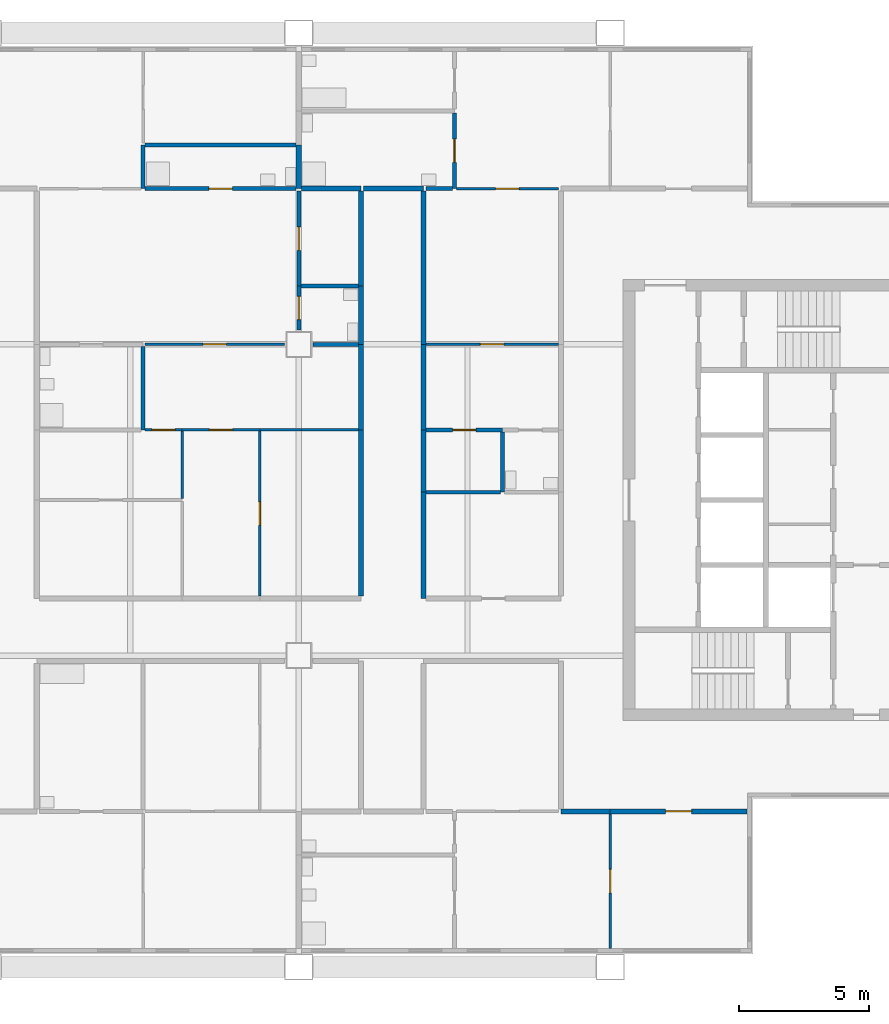
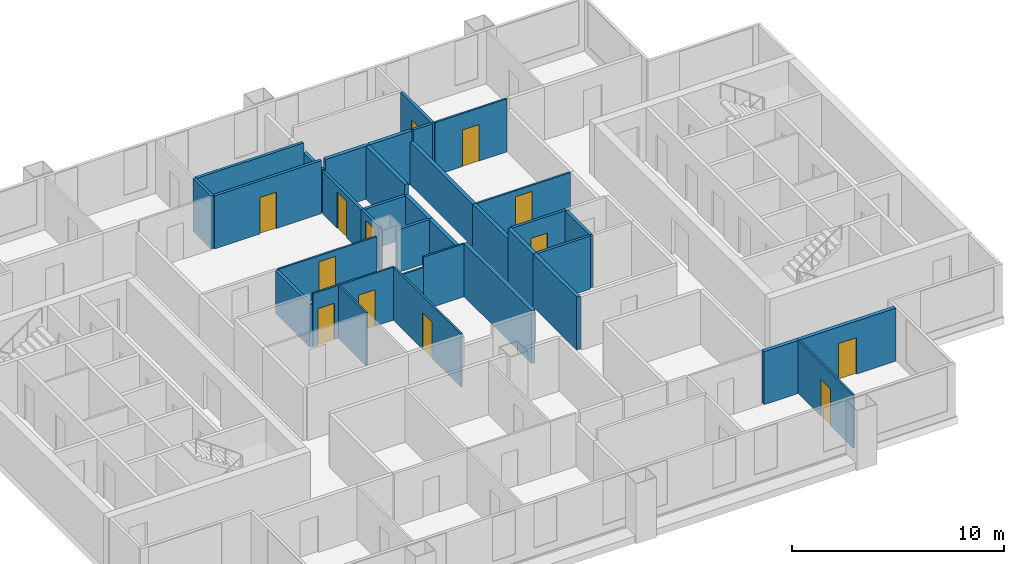
# One storey, part 4 of 9: 36 walls, 13 doors, 13 openings.
"""IFC4 building model written with IfcOpenShell, lengths in metres."""

from ifc_helpers import new_model, si_unit, direction, frame, frame_2d, origin, place, context, subcontext, project, spatial, rectangle, extrude, material, layer, layer_set, type_object, element, fill, save


model = new_model("IFC4")

# Units and contexts
model_context = context("Model", 3, precision=1e-05, world=origin(), true_north=direction((0.0, 1.0)))
body_context = subcontext(model_context, "Body", "Model", "MODEL_VIEW")
ifc_project = project(units=[si_unit("LENGTHUNIT", "METRE"), si_unit("AREAUNIT", "SQUARE_METRE"), si_unit("VOLUMEUNIT", "CUBIC_METRE"), si_unit("PLANEANGLEUNIT", "RADIAN"), si_unit("MASSUNIT", "GRAM", prefix="KILO")], contexts=[model_context])

# Site, building, storey
site_placement = place(None, origin())
site = spatial("IfcSite", under=ifc_project, at=site_placement, CompositionType="ELEMENT")
building_placement = place(site_placement, origin())
building = spatial("IfcBuilding", under=site, at=building_placement, Name="Kitamizu Gate Tower and Museum", CompositionType="ELEMENT")
storey_placement = place(building_placement, frame((0.0, 0.0, 221.39990234375)))
storey = spatial("IfcBuildingStorey", under=building, at=storey_placement, Name="L59", CompositionType="ELEMENT", Elevation=221.39990234375)

# Wall, opening, door
ifc_material_1 = material(Name="Gypsum board on galvanised stud")
ifc_layer_1 = layer(ifc_material_1, 0.10009765625)
ifc_layer_set_1 = layer_set([ifc_layer_1], Name="Gypsum board on galvanised stud")
wall_type_1 = type_object("IfcWallType", Name="Partition 100 NOT RATED", PredefinedType="PARTITIONING", material=ifc_layer_set_1)
wall_1_placement = place(storey_placement, frame((48.0, 12.719970703125, 0.0), z_axis=(0.0, 0.0, 1.0), x_axis=(0.0, 1.0, 0.0)))
wall_1 = element("IfcWall", 1, at=wall_1_placement, inside=storey, type_object=wall_type_1, Name="Partition L59-024", PredefinedType="PARTITIONING", context=body_context, shape_type="SweptSolid", body=[
    extrude(rectangle(XDim=5.179931640625, YDim=0.10009765625, at=frame_2d((2.58984375, 0.0))), origin(), (0.0, 0.0, 1.0), 3.050048828125),
])
opening_1_placement = place(wall_1_placement, frame((2.139892578125, 0.0, 0.0)))
opening_1 = element("IfcOpeningElement", 2, at=opening_1_placement, cuts=wall_1, Name="Opening L59-008", PredefinedType="OPENING", context=body_context, shape_type="SweptSolid", body=[
    extrude(rectangle(XDim=0.89990234375, YDim=2.10009765625, at=frame_2d((0.449951171875, 1.050048828125))), frame((0.0, 0.06005859375, 0.0), z_axis=(0.0, -1.0, 0.0), x_axis=(1.0, 0.0, 0.0)), (0.0, 0.0, 1.0), 0.1201171875),
])
ifc_material_2 = material(Name="Timber door set", Category="wood")
door_type_1 = type_object("IfcDoorType", Name="Room door 900", OperationType="NOTDEFINED", PredefinedType="DOOR", material=ifc_material_2)
door_1_placement = place(opening_1_placement, origin())
door_1 = element("IfcDoor", 3, at=door_1_placement, inside=storey, type_object=door_type_1, Name="Door L59-008", OperationType="SINGLE_SWING_LEFT", OverallHeight=2.10009765625, OverallWidth=0.89990234375, PredefinedType="DOOR", context=body_context, shape_type="SweptSolid", body=[
    extrude(rectangle(XDim=0.89990234375, YDim=2.10009765625, at=frame_2d((0.449951171875, 1.050048828125))), frame((0.0, 0.02490234375, 0.0), z_axis=(0.0, -1.0, 0.0), x_axis=(1.0, 0.0, 0.0)), (0.0, 0.0, 1.0), 0.050048828125),
])
fill(opening_1, door_1)

wall_2_placement = place(storey_placement, frame((30.074951171875, 36.0, 0.0), z_axis=(0.0, 0.0, 1.0), x_axis=(1.0, 0.0, 0.0)))
wall_2 = element("IfcWall", 4, at=wall_2_placement, inside=storey, type_object=wall_type_1, Name="Partition L59-045", PredefinedType="PARTITIONING", context=body_context, shape_type="SweptSolid", body=[
    extrude(rectangle(XDim=5.375, YDim=0.10009765625, at=frame_2d((2.6875, 0.0))), origin(), (0.0, 0.0, 1.0), 2.4501953125),
])
opening_2_placement = place(wall_2_placement, frame((2.237548828125, 0.0, 0.0)))
opening_2 = element("IfcOpeningElement", 5, at=opening_2_placement, cuts=wall_2, Name="Opening L59-020", PredefinedType="OPENING", context=body_context, shape_type="SweptSolid", body=[
    extrude(rectangle(XDim=0.89990234375, YDim=2.10009765625, at=frame_2d((0.449951171875, 1.050048828125))), frame((0.0, 0.06005859375, 0.0), z_axis=(0.0, -1.0, 0.0), x_axis=(1.0, 0.0, 0.0)), (0.0, 0.0, 1.0), 0.1201171875),
])
door_2_placement = place(opening_2_placement, frame((0.89990234375, 0.0, 0.0), x_axis=(-1.0, 0.0, 0.0)))
door_2 = element("IfcDoor", 6, at=door_2_placement, inside=storey, type_object=door_type_1, Name="Door L59-020", OperationType="SINGLE_SWING_RIGHT", OverallHeight=2.10009765625, OverallWidth=0.89990234375, PredefinedType="DOOR", context=body_context, shape_type="SweptSolid", body=[
    extrude(rectangle(XDim=0.89990234375, YDim=2.10009765625, at=frame_2d((0.449951171875, 1.050048828125))), frame((0.0, 0.02490234375, 0.0), z_axis=(0.0, -1.0, 0.0), x_axis=(1.0, 0.0, 0.0)), (0.0, 0.0, 1.0), 0.050048828125),
])
fill(opening_2, door_2)

wall_3_placement = place(storey_placement, frame((30.074951171875, 32.699951171875, 0.0), z_axis=(0.0, 0.0, 1.0), x_axis=(1.0, 0.0, 0.0)))
wall_3 = element("IfcWall", 7, at=wall_3_placement, inside=storey, type_object=wall_type_1, Name="Partition L59-055", PredefinedType="PARTITIONING", context=body_context, shape_type="SweptSolid", body=[
    extrude(rectangle(XDim=1.425048828125, YDim=0.10009765625, at=frame_2d((0.71240234375, 0.0))), origin(), (0.0, 0.0, 1.0), 3.050048828125),
])
opening_3_placement = place(wall_3_placement, frame((0.262451171875, 0.0, 0.0)))
opening_3 = element("IfcOpeningElement", 8, at=opening_3_placement, cuts=wall_3, Name="Opening L59-021", PredefinedType="OPENING", context=body_context, shape_type="SweptSolid", body=[
    extrude(rectangle(XDim=0.89990234375, YDim=2.10009765625, at=frame_2d((0.449951171875, 1.050048828125))), frame((0.0, 0.06005859375, 0.0), z_axis=(0.0, -1.0, 0.0), x_axis=(1.0, 0.0, 0.0)), (0.0, 0.0, 1.0), 0.1201171875),
])
door_3_placement = place(opening_3_placement, frame((0.89990234375, 0.0, 0.0), x_axis=(-1.0, 0.0, 0.0)))
door_3 = element("IfcDoor", 9, at=door_3_placement, inside=storey, type_object=door_type_1, Name="Door L59-021", OperationType="SINGLE_SWING_RIGHT", OverallHeight=2.10009765625, OverallWidth=0.89990234375, PredefinedType="DOOR", context=body_context, shape_type="SweptSolid", body=[
    extrude(rectangle(XDim=0.89990234375, YDim=2.10009765625, at=frame_2d((0.449951171875, 1.050048828125))), frame((0.0, 0.02490234375, 0.0), z_axis=(0.0, -1.0, 0.0), x_axis=(1.0, 0.0, 0.0)), (0.0, 0.0, 1.0), 0.050048828125),
])
fill(opening_3, door_3)

wall_4_placement = place(storey_placement, frame((31.5, 32.699951171875, 0.0), z_axis=(0.0, 0.0, 1.0), x_axis=(1.0, 0.0, 0.0)))
wall_4 = element("IfcWall", 10, at=wall_4_placement, inside=storey, type_object=wall_type_1, Name="Partition L59-056", PredefinedType="PARTITIONING", context=body_context, shape_type="SweptSolid", body=[
    extrude(rectangle(XDim=3.0, YDim=0.10009765625, at=frame_2d((1.5, 0.0))), origin(), (0.0, 0.0, 1.0), 3.050048828125),
])
opening_4_placement = place(wall_4_placement, frame((1.050048828125, 0.0, 0.0)))
opening_4 = element("IfcOpeningElement", 11, at=opening_4_placement, cuts=wall_4, Name="Opening L59-022", PredefinedType="OPENING", context=body_context, shape_type="SweptSolid", body=[
    extrude(rectangle(XDim=0.89990234375, YDim=2.10009765625, at=frame_2d((0.449951171875, 1.050048828125))), frame((0.0, 0.06005859375, 0.0), z_axis=(0.0, -1.0, 0.0), x_axis=(1.0, 0.0, 0.0)), (0.0, 0.0, 1.0), 0.1201171875),
])
door_4_placement = place(opening_4_placement, frame((0.89990234375, 0.0, 0.0), x_axis=(-1.0, 0.0, 0.0)))
door_4 = element("IfcDoor", 12, at=door_4_placement, inside=storey, type_object=door_type_1, Name="Door L59-022", OperationType="SINGLE_SWING_LEFT", OverallHeight=2.10009765625, OverallWidth=0.89990234375, PredefinedType="DOOR", context=body_context, shape_type="SweptSolid", body=[
    extrude(rectangle(XDim=0.89990234375, YDim=2.10009765625, at=frame_2d((0.449951171875, 1.050048828125))), frame((0.0, 0.02490234375, 0.0), z_axis=(0.0, -1.0, 0.0), x_axis=(1.0, 0.0, 0.0)), (0.0, 0.0, 1.0), 0.050048828125),
])
fill(opening_4, door_4)

# Walls
wall_5_placement = place(storey_placement, frame((34.5, 32.699951171875, 0.0), z_axis=(0.0, 0.0, 1.0), x_axis=(1.0, 0.0, 0.0)))
element("IfcWall", 13, at=wall_5_placement, inside=storey, type_object=wall_type_1, Name="Partition L59-057", PredefinedType="PARTITIONING", context=body_context, shape_type="SweptSolid", body=[
    extrude(rectangle(XDim=1.60009765625, YDim=0.10009765625, at=frame_2d((0.800048828125, 0.0))), origin(), (0.0, 0.0, 1.0), 2.4501953125),
])
wall_6_placement = place(storey_placement, frame((36.10009765625, 32.699951171875, 0.0), z_axis=(0.0, 0.0, 1.0), x_axis=(1.0, 0.0, 0.0)))
element("IfcWall", 14, at=wall_6_placement, inside=storey, type_object=wall_type_1, Name="Partition L59-058", PredefinedType="PARTITIONING", context=body_context, shape_type="SweptSolid", body=[
    extrude(rectangle(XDim=2.199951171875, YDim=0.10009765625, at=frame_2d((1.10009765625, 0.0))), origin(), (0.0, 0.0, 1.0), 3.050048828125),
])
wall_7_placement = place(storey_placement, frame((31.5, 30.050048828125, 0.0), z_axis=(0.0, 0.0, 1.0), x_axis=(0.0, 1.0, 0.0)))
element("IfcWall", 15, at=wall_7_placement, inside=storey, type_object=wall_type_1, Name="Partition L59-064", PredefinedType="PARTITIONING", context=body_context, shape_type="SweptSolid", body=[
    extrude(rectangle(XDim=2.599853515625, YDim=0.10009765625, at=frame_2d((1.2998046875, 0.0))), origin(), (0.0, 0.0, 1.0), 3.050048828125),
])

# Wall, opening, door
wall_8_placement = place(storey_placement, frame((34.5, 26.300048828125, 0.0), z_axis=(0.0, 0.0, 1.0), x_axis=(0.0, 1.0, 0.0)))
wall_8 = element("IfcWall", 16, at=wall_8_placement, inside=storey, type_object=wall_type_1, Name="Partition L59-066", PredefinedType="PARTITIONING", context=body_context, shape_type="SweptSolid", body=[
    extrude(rectangle(XDim=6.349853515625, YDim=0.10009765625, at=frame_2d((3.1748046875, 0.0))), origin(), (0.0, 0.0, 1.0), 3.050048828125),
])
opening_5_placement = place(wall_8_placement, frame((2.72509765625, 0.0, 0.0)))
opening_5 = element("IfcOpeningElement", 17, at=opening_5_placement, cuts=wall_8, Name="Opening L59-023", PredefinedType="OPENING", context=body_context, shape_type="SweptSolid", body=[
    extrude(rectangle(XDim=0.89990234375, YDim=2.10009765625, at=frame_2d((0.449951171875, 1.050048828125))), frame((0.0, 0.06005859375, 0.0), z_axis=(0.0, -1.0, 0.0), x_axis=(1.0, 0.0, 0.0)), (0.0, 0.0, 1.0), 0.1201171875),
])
door_5_placement = place(opening_5_placement, origin())
door_5 = element("IfcDoor", 18, at=door_5_placement, inside=storey, type_object=door_type_1, Name="Door L59-023", OperationType="SINGLE_SWING_LEFT", OverallHeight=2.10009765625, OverallWidth=0.89990234375, PredefinedType="DOOR", context=body_context, shape_type="SweptSolid", body=[
    extrude(rectangle(XDim=0.89990234375, YDim=2.10009765625, at=frame_2d((0.449951171875, 1.050048828125))), frame((0.0, 0.02490234375, 0.0), z_axis=(0.0, -1.0, 0.0), x_axis=(1.0, 0.0, 0.0)), (0.0, 0.0, 1.0), 0.050048828125),
])
fill(opening_5, door_5)

wall_9_placement = place(storey_placement, frame((42.074951171875, 42.0, 0.0), z_axis=(0.0, 0.0, 1.0), x_axis=(1.0, 0.0, 0.0)))
wall_9 = element("IfcWall", 19, at=wall_9_placement, inside=storey, type_object=wall_type_1, Name="Partition L59-077", PredefinedType="PARTITIONING", context=body_context, shape_type="SweptSolid", body=[
    extrude(rectangle(XDim=3.925048828125, YDim=0.10009765625, at=frame_2d((1.96240234375, 0.0))), origin(), (0.0, 0.0, 1.0), 3.050048828125),
])
opening_6_placement = place(wall_9_placement, frame((1.512451171875, 0.0, 0.0)))
opening_6 = element("IfcOpeningElement", 20, at=opening_6_placement, cuts=wall_9, Name="Opening L59-027", PredefinedType="OPENING", context=body_context, shape_type="SweptSolid", body=[
    extrude(rectangle(XDim=0.89990234375, YDim=2.10009765625, at=frame_2d((0.449951171875, 1.050048828125))), frame((0.0, 0.06005859375, 0.0), z_axis=(0.0, -1.0, 0.0), x_axis=(1.0, 0.0, 0.0)), (0.0, 0.0, 1.0), 0.1201171875),
])
door_6_placement = place(opening_6_placement, origin())
door_6 = element("IfcDoor", 21, at=door_6_placement, inside=storey, type_object=door_type_1, Name="Door L59-027", OperationType="SINGLE_SWING_LEFT", OverallHeight=2.10009765625, OverallWidth=0.89990234375, PredefinedType="DOOR", context=body_context, shape_type="SweptSolid", body=[
    extrude(rectangle(XDim=0.89990234375, YDim=2.10009765625, at=frame_2d((0.449951171875, 1.050048828125))), frame((0.0, 0.02490234375, 0.0), z_axis=(0.0, -1.0, 0.0), x_axis=(1.0, 0.0, 0.0)), (0.0, 0.0, 1.0), 0.050048828125),
])
fill(opening_6, door_6)

wall_10_placement = place(storey_placement, frame((40.89990234375, 36.0, 0.0), z_axis=(0.0, 0.0, 1.0), x_axis=(1.0, 0.0, 0.0)))
wall_10 = element("IfcWall", 22, at=wall_10_placement, inside=storey, type_object=wall_type_1, Name="Partition L59-080", PredefinedType="PARTITIONING", context=body_context, shape_type="SweptSolid", body=[
    extrude(rectangle(XDim=5.10009765625, YDim=0.10009765625, at=frame_2d((2.550048828125, 0.0))), origin(), (0.0, 0.0, 1.0), 2.4501953125),
])
opening_7_placement = place(wall_10_placement, frame((2.10009765625, 0.0, 0.0)))
opening_7 = element("IfcOpeningElement", 23, at=opening_7_placement, cuts=wall_10, Name="Opening L59-030", PredefinedType="OPENING", context=body_context, shape_type="SweptSolid", body=[
    extrude(rectangle(XDim=0.89990234375, YDim=2.10009765625, at=frame_2d((0.449951171875, 1.050048828125))), frame((0.0, 0.06005859375, 0.0), z_axis=(0.0, -1.0, 0.0), x_axis=(1.0, 0.0, 0.0)), (0.0, 0.0, 1.0), 0.1201171875),
])
door_7_placement = place(opening_7_placement, frame((0.89990234375, 0.0, 0.0), x_axis=(-1.0, 0.0, 0.0)))
door_7 = element("IfcDoor", 24, at=door_7_placement, inside=storey, type_object=door_type_1, Name="Door L59-030", OperationType="SINGLE_SWING_LEFT", OverallHeight=2.10009765625, OverallWidth=0.89990234375, PredefinedType="DOOR", context=body_context, shape_type="SweptSolid", body=[
    extrude(rectangle(XDim=0.89990234375, YDim=2.10009765625, at=frame_2d((0.449951171875, 1.050048828125))), frame((0.0, 0.02490234375, 0.0), z_axis=(0.0, -1.0, 0.0), x_axis=(1.0, 0.0, 0.0)), (0.0, 0.0, 1.0), 0.050048828125),
])
fill(opening_7, door_7)

# Walls
ifc_material_3 = material(Name="Gypsum board on galvanised stud")
ifc_layer_2 = layer(ifc_material_3, 0.14990234375)
ifc_layer_set_2 = layer_set([ifc_layer_2], Name="Gypsum board on galvanised stud")
wall_type_2 = type_object("IfcWallType", Name="Partition 150", PredefinedType="PARTITIONING", material=ifc_layer_set_2)
wall_11_placement = place(storey_placement, frame((30.0, 42.0, 0.0), z_axis=(0.0, 0.0, 1.0), x_axis=(0.0, 1.0, 0.0)))
element("IfcWall", 25, at=wall_11_placement, inside=storey, type_object=wall_type_2, Name="Partition L59-034", PredefinedType="PARTITIONING", context=body_context, shape_type="SweptSolid", body=[
    extrude(rectangle(XDim=1.679931640625, YDim=0.14990234375, at=frame_2d((0.83984375, 0.0))), origin(), (0.0, 0.0, 1.0), 3.050048828125),
])
wall_12_placement = place(storey_placement, frame((30.074951171875, 43.679931640625, 0.0), z_axis=(0.0, 0.0, 1.0), x_axis=(1.0, 0.0, 0.0)))
element("IfcWall", 26, at=wall_12_placement, inside=storey, type_object=wall_type_2, Name="Partition L59-037", PredefinedType="PARTITIONING", context=body_context, shape_type="SweptSolid", body=[
    extrude(rectangle(XDim=5.824951171875, YDim=0.14990234375, at=frame_2d((2.91259765625, 0.0))), origin(), (0.0, 0.0, 1.0), 3.050048828125),
])

# Wall, opening, door
wall_13_placement = place(storey_placement, frame((30.074951171875, 42.0, 0.0), z_axis=(0.0, 0.0, 1.0), x_axis=(1.0, 0.0, 0.0)))
wall_13 = element("IfcWall", 27, at=wall_13_placement, inside=storey, type_object=wall_type_2, Name="Partition L59-040", PredefinedType="PARTITIONING", context=body_context, shape_type="SweptSolid", body=[
    extrude(rectangle(XDim=5.824951171875, YDim=0.14990234375, at=frame_2d((2.91259765625, 0.0))), origin(), (0.0, 0.0, 1.0), 3.050048828125),
])
opening_8_placement = place(wall_13_placement, frame((2.46240234375, 0.0, 0.0)))
opening_8 = element("IfcOpeningElement", 28, at=opening_8_placement, cuts=wall_13, Name="Opening L59-015", PredefinedType="OPENING", context=body_context, shape_type="SweptSolid", body=[
    extrude(rectangle(XDim=0.89990234375, YDim=2.10009765625, at=frame_2d((0.449951171875, 1.050048828125))), frame((0.0, 0.0849609375, 0.0), z_axis=(0.0, -1.0, 0.0), x_axis=(1.0, 0.0, 0.0)), (0.0, 0.0, 1.0), 0.169921875),
])
ifc_material_4 = material(Name="Timber door set", Category="wood")
door_type_2 = type_object("IfcDoorType", Name="Bathroom door 900", OperationType="NOTDEFINED", PredefinedType="DOOR", material=ifc_material_4)
door_8_placement = place(opening_8_placement, origin())
door_8 = element("IfcDoor", 29, at=door_8_placement, inside=storey, type_object=door_type_2, Name="Bathroom door L59-015", OperationType="SINGLE_SWING_RIGHT", OverallHeight=2.10009765625, OverallWidth=0.89990234375, PredefinedType="DOOR", context=body_context, shape_type="SweptSolid", body=[
    extrude(rectangle(XDim=0.89990234375, YDim=2.10009765625, at=frame_2d((0.449951171875, 1.050048828125))), frame((0.0, 0.02490234375, 0.0), z_axis=(0.0, -1.0, 0.0), x_axis=(1.0, 0.0, 0.0)), (0.0, 0.0, 1.0), 0.050048828125),
])
fill(opening_8, door_8)

wall_14_placement = place(storey_placement, frame((36.0, 36.550048828125, 0.0), z_axis=(0.0, 0.0, 1.0), x_axis=(0.0, 1.0, 0.0)))
wall_14 = element("IfcWall", 30, at=wall_14_placement, inside=storey, type_object=wall_type_2, Name="Partition L59-042", PredefinedType="PARTITIONING", context=body_context, shape_type="SweptSolid", body=[
    extrude(rectangle(XDim=1.699951171875, YDim=0.14990234375, at=frame_2d((0.85009765625, 0.0))), origin(), (0.0, 0.0, 1.0), 2.4501953125),
])
opening_9_placement = place(wall_14_placement, frame((0.39990234375, 0.0, 0.0)))
opening_9 = element("IfcOpeningElement", 31, at=opening_9_placement, cuts=wall_14, Name="Opening L59-018", PredefinedType="OPENING", context=body_context, shape_type="SweptSolid", body=[
    extrude(rectangle(XDim=0.89990234375, YDim=2.10009765625, at=frame_2d((0.449951171875, 1.050048828125))), frame((0.0, 0.0849609375, 0.0), z_axis=(0.0, -1.0, 0.0), x_axis=(1.0, 0.0, 0.0)), (0.0, 0.0, 1.0), 0.169921875),
])
door_9_placement = place(opening_9_placement, frame((0.89990234375, 0.0, 0.0), x_axis=(-1.0, 0.0, 0.0)))
door_9 = element("IfcDoor", 32, at=door_9_placement, inside=storey, type_object=door_type_2, Name="Bathroom door L59-018", OperationType="SINGLE_SWING_RIGHT", OverallHeight=2.10009765625, OverallWidth=0.89990234375, PredefinedType="DOOR", context=body_context, shape_type="SweptSolid", body=[
    extrude(rectangle(XDim=0.89990234375, YDim=2.10009765625, at=frame_2d((0.449951171875, 1.050048828125))), frame((0.0, 0.02490234375, 0.0), z_axis=(0.0, -1.0, 0.0), x_axis=(1.0, 0.0, 0.0)), (0.0, 0.0, 1.0), 0.050048828125),
])
fill(opening_9, door_9)

wall_15_placement = place(storey_placement, frame((36.0, 38.25, 0.0), z_axis=(0.0, 0.0, 1.0), x_axis=(0.0, 1.0, 0.0)))
wall_15 = element("IfcWall", 33, at=wall_15_placement, inside=storey, type_object=wall_type_2, Name="Partition L59-043", PredefinedType="PARTITIONING", context=body_context, shape_type="SweptSolid", body=[
    extrude(rectangle(XDim=3.64990234375, YDim=0.14990234375, at=frame_2d((1.824951171875, 0.0))), origin(), (0.0, 0.0, 1.0), 2.4501953125),
])
opening_10_placement = place(wall_15_placement, frame((1.375, 0.0, 0.0)))
opening_10 = element("IfcOpeningElement", 34, at=opening_10_placement, cuts=wall_15, Name="Opening L59-019", PredefinedType="OPENING", context=body_context, shape_type="SweptSolid", body=[
    extrude(rectangle(XDim=0.89990234375, YDim=2.10009765625, at=frame_2d((0.449951171875, 1.050048828125))), frame((0.0, 0.0849609375, 0.0), z_axis=(0.0, -1.0, 0.0), x_axis=(1.0, 0.0, 0.0)), (0.0, 0.0, 1.0), 0.169921875),
])
door_10_placement = place(opening_10_placement, frame((0.89990234375, 0.0, 0.0), x_axis=(-1.0, 0.0, 0.0)))
door_10 = element("IfcDoor", 35, at=door_10_placement, inside=storey, type_object=door_type_2, Name="Bathroom door L59-019", OperationType="SINGLE_SWING_LEFT", OverallHeight=2.10009765625, OverallWidth=0.89990234375, PredefinedType="DOOR", context=body_context, shape_type="SweptSolid", body=[
    extrude(rectangle(XDim=0.89990234375, YDim=2.10009765625, at=frame_2d((0.449951171875, 1.050048828125))), frame((0.0, 0.02490234375, 0.0), z_axis=(0.0, -1.0, 0.0), x_axis=(1.0, 0.0, 0.0)), (0.0, 0.0, 1.0), 0.050048828125),
])
fill(opening_10, door_10)

# Walls
wall_16_placement = place(storey_placement, frame((38.300048828125, 38.25, 0.0), z_axis=(0.0, 0.0, 1.0), x_axis=(-1.0, 0.0, 0.0)))
element("IfcWall", 36, at=wall_16_placement, inside=storey, type_object=wall_type_2, Name="Partition L59-047", PredefinedType="PARTITIONING", context=body_context, shape_type="SweptSolid", body=[
    extrude(rectangle(XDim=2.22509765625, YDim=0.14990234375, at=frame_2d((1.112548828125, 0.0))), origin(), (0.0, 0.0, 1.0), 2.4501953125),
])
wall_17_placement = place(storey_placement, frame((36.550048828125, 36.0, 0.0), z_axis=(0.0, 0.0, 1.0), x_axis=(1.0, 0.0, 0.0)))
element("IfcWall", 37, at=wall_17_placement, inside=storey, type_object=wall_type_2, Name="Partition L59-048", PredefinedType="PARTITIONING", context=body_context, shape_type="SweptSolid", body=[
    extrude(rectangle(XDim=1.75, YDim=0.14990234375, at=frame_2d((0.875, 0.0))), origin(), (0.0, 0.0, 1.0), 2.4501953125),
])
wall_18_placement = place(storey_placement, frame((30.0, 32.699951171875, 0.0), z_axis=(0.0, 0.0, 1.0), x_axis=(0.0, 1.0, 0.0)))
element("IfcWall", 38, at=wall_18_placement, inside=storey, type_object=wall_type_2, Name="Partition L59-052", PredefinedType="PARTITIONING", context=body_context, shape_type="SweptSolid", body=[
    extrude(rectangle(XDim=3.22509765625, YDim=0.14990234375, at=frame_2d((1.612548828125, 0.0))), origin(), (0.0, 0.0, 1.0), 2.4501953125),
])

# Wall, opening, door
wall_19_placement = place(storey_placement, frame((42.0, 42.0, 0.0), z_axis=(0.0, 0.0, 1.0), x_axis=(0.0, 1.0, 0.0)))
wall_19 = element("IfcWall", 39, at=wall_19_placement, inside=storey, type_object=wall_type_2, Name="Partition L59-072", PredefinedType="PARTITIONING", context=body_context, shape_type="SweptSolid", body=[
    extrude(rectangle(XDim=2.925048828125, YDim=0.14990234375, at=frame_2d((1.46240234375, 0.0))), origin(), (0.0, 0.0, 1.0), 3.050048828125),
])
opening_11_placement = place(wall_19_placement, frame((1.012451171875, 0.0, 0.0)))
opening_11 = element("IfcOpeningElement", 40, at=opening_11_placement, cuts=wall_19, Name="Opening L59-028", PredefinedType="OPENING", context=body_context, shape_type="SweptSolid", body=[
    extrude(rectangle(XDim=0.89990234375, YDim=2.10009765625, at=frame_2d((0.449951171875, 1.050048828125))), frame((0.0, 0.0849609375, 0.0), z_axis=(0.0, -1.0, 0.0), x_axis=(1.0, 0.0, 0.0)), (0.0, 0.0, 1.0), 0.169921875),
])
door_11_placement = place(opening_11_placement, origin())
door_11 = element("IfcDoor", 41, at=door_11_placement, inside=storey, type_object=door_type_2, Name="Bathroom door L59-028", OperationType="SINGLE_SWING_RIGHT", OverallHeight=2.10009765625, OverallWidth=0.89990234375, PredefinedType="DOOR", context=body_context, shape_type="SweptSolid", body=[
    extrude(rectangle(XDim=0.89990234375, YDim=2.10009765625, at=frame_2d((0.449951171875, 1.050048828125))), frame((0.0, 0.02490234375, 0.0), z_axis=(0.0, -1.0, 0.0), x_axis=(1.0, 0.0, 0.0)), (0.0, 0.0, 1.0), 0.050048828125),
])
fill(opening_11, door_11)

# Wall
wall_20_placement = place(storey_placement, frame((40.89990234375, 42.0, 0.0), z_axis=(0.0, 0.0, 1.0), x_axis=(1.0, 0.0, 0.0)))
element("IfcWall", 42, at=wall_20_placement, inside=storey, type_object=wall_type_2, Name="Partition L59-073", PredefinedType="PARTITIONING", context=body_context, shape_type="SweptSolid", body=[
    extrude(rectangle(XDim=1.025146484375, YDim=0.14990234375, at=frame_2d((0.5126953125, 0.0))), origin(), (0.0, 0.0, 1.0), 3.050048828125),
])

# Wall, opening, door
wall_21_placement = place(storey_placement, frame((40.89990234375, 32.699951171875, 0.0), z_axis=(0.0, 0.0, 1.0), x_axis=(1.0, 0.0, 0.0)))
wall_21 = element("IfcWall", 43, at=wall_21_placement, inside=storey, type_object=wall_type_2, Name="Partition L59-084", PredefinedType="PARTITIONING", context=body_context, shape_type="SweptSolid", body=[
    extrude(rectangle(XDim=2.9501953125, YDim=0.14990234375, at=frame_2d((1.47509765625, 0.0))), origin(), (0.0, 0.0, 1.0), 3.050048828125),
])
opening_12_placement = place(wall_21_placement, frame((1.02490234375, 0.0, 0.0)))
opening_12 = element("IfcOpeningElement", 44, at=opening_12_placement, cuts=wall_21, Name="Opening L59-032", PredefinedType="OPENING", context=body_context, shape_type="SweptSolid", body=[
    extrude(rectangle(XDim=0.89990234375, YDim=2.10009765625, at=frame_2d((0.449951171875, 1.050048828125))), frame((0.0, 0.0849609375, 0.0), z_axis=(0.0, -1.0, 0.0), x_axis=(1.0, 0.0, 0.0)), (0.0, 0.0, 1.0), 0.169921875),
])
door_12_placement = place(opening_12_placement, frame((0.89990234375, 0.0, 0.0), x_axis=(-1.0, 0.0, 0.0)))
door_12 = element("IfcDoor", 45, at=door_12_placement, inside=storey, type_object=door_type_2, Name="Bathroom door L59-032", OperationType="SINGLE_SWING_LEFT", OverallHeight=2.10009765625, OverallWidth=0.89990234375, PredefinedType="DOOR", context=body_context, shape_type="SweptSolid", body=[
    extrude(rectangle(XDim=0.89990234375, YDim=2.10009765625, at=frame_2d((0.449951171875, 1.050048828125))), frame((0.0, 0.02490234375, 0.0), z_axis=(0.0, -1.0, 0.0), x_axis=(1.0, 0.0, 0.0)), (0.0, 0.0, 1.0), 0.050048828125),
])
fill(opening_12, door_12)

# Walls
wall_22_placement = place(storey_placement, frame((43.85009765625, 32.625, 0.0), z_axis=(0.0, 0.0, 1.0), x_axis=(0.0, -1.0, 0.0)))
element("IfcWall", 46, at=wall_22_placement, inside=storey, type_object=wall_type_2, Name="Partition L59-087", PredefinedType="PARTITIONING", context=body_context, shape_type="SweptSolid", body=[
    extrude(rectangle(XDim=2.324951171875, YDim=0.14990234375, at=frame_2d((1.16259765625, 0.0))), origin(), (0.0, 0.0, 1.0), 3.050048828125),
])
wall_23_placement = place(storey_placement, frame((40.89990234375, 30.300048828125, 0.0), z_axis=(0.0, 0.0, 1.0), x_axis=(1.0, 0.0, 0.0)))
element("IfcWall", 47, at=wall_23_placement, inside=storey, type_object=wall_type_2, Name="Partition L59-090", PredefinedType="PARTITIONING", context=body_context, shape_type="SweptSolid", body=[
    extrude(rectangle(XDim=2.875, YDim=0.14990234375, at=frame_2d((1.4375, 0.0))), origin(), (0.0, 0.0, 1.0), 3.050048828125),
])
ifc_material_5 = material(Name="Gypsum board on galvanised stud")
ifc_layer_3 = layer(ifc_material_5, 0.199951171875)
ifc_layer_set_3 = layer_set([ifc_layer_3], Name="Gypsum board on galvanised stud")
wall_type_3 = type_object("IfcWallType", Name="Partition 200", PredefinedType="PARTITIONING", material=ifc_layer_set_3)
wall_24_placement = place(storey_placement, frame((48.0, 18.0, 0.0), z_axis=(0.0, 0.0, 1.0), x_axis=(-1.0, 0.0, 0.0)))
element("IfcWall", 48, at=wall_24_placement, inside=storey, type_object=wall_type_3, Name="Partition L59-026", PredefinedType="PARTITIONING", context=body_context, shape_type="SweptSolid", body=[
    extrude(rectangle(XDim=1.89990234375, YDim=0.199951171875, at=frame_2d((0.949951171875, 0.0))), origin(), (0.0, 0.0, 1.0), 3.050048828125),
])

# Wall, opening, door
wall_25_placement = place(storey_placement, frame((53.280029296875, 18.0, 0.0), z_axis=(0.0, 0.0, 1.0), x_axis=(-1.0, 0.0, 0.0)))
wall_25 = element("IfcWall", 49, at=wall_25_placement, inside=storey, type_object=wall_type_3, Name="Partition L59-027", PredefinedType="PARTITIONING", context=body_context, shape_type="SweptSolid", body=[
    extrude(rectangle(XDim=5.280029296875, YDim=0.199951171875, at=frame_2d((2.64013671875, 0.0))), origin(), (0.0, 0.0, 1.0), 3.050048828125),
])
opening_13_placement = place(wall_25_placement, frame((2.139892578125, 0.0, 0.0)))
opening_13 = element("IfcOpeningElement", 50, at=opening_13_placement, cuts=wall_25, Name="Opening L59-007", PredefinedType="OPENING", context=body_context, shape_type="SweptSolid", body=[
    extrude(rectangle(XDim=1.0, YDim=2.10009765625, at=frame_2d((0.5, 1.050048828125))), frame((0.0, 0.10986328125, 0.0), z_axis=(0.0, -1.0, 0.0), x_axis=(1.0, 0.0, 0.0)), (0.0, 0.0, 1.0), 0.219970703125),
])
ifc_material_6 = material(Name="Timber door set", Category="wood")
door_type_3 = type_object("IfcDoorType", Name="Flat entrance door 1000", OperationType="NOTDEFINED", PredefinedType="DOOR", material=ifc_material_6)
door_13_placement = place(opening_13_placement, origin())
door_13 = element("IfcDoor", 51, at=door_13_placement, inside=storey, type_object=door_type_3, Name="Flat entrance door L59-007", OperationType="SINGLE_SWING_RIGHT", OverallHeight=2.10009765625, OverallWidth=1.0, PredefinedType="DOOR", context=body_context, shape_type="SweptSolid", body=[
    extrude(rectangle(XDim=1.0, YDim=2.10009765625, at=frame_2d((0.5, 1.050048828125))), frame((0.0, 0.02490234375, 0.0), z_axis=(0.0, -1.0, 0.0), x_axis=(1.0, 0.0, 0.0)), (0.0, 0.0, 1.0), 0.050048828125),
])
fill(opening_13, door_13)

# Walls
wall_26_placement = place(storey_placement, frame((36.0, 42.0, 0.0), z_axis=(0.0, 0.0, 1.0), x_axis=(0.0, 1.0, 0.0)))
element("IfcWall", 52, at=wall_26_placement, inside=storey, type_object=wall_type_3, Name="Partition L59-041", PredefinedType="PARTITIONING", context=body_context, shape_type="SweptSolid", body=[
    extrude(rectangle(XDim=1.679931640625, YDim=0.199951171875, at=frame_2d((0.83984375, 0.0))), origin(), (0.0, 0.0, 1.0), 2.4501953125),
])
wall_27_placement = place(storey_placement, frame((38.39990234375, 36.0, 0.0), z_axis=(0.0, 0.0, 1.0), x_axis=(0.0, 1.0, 0.0)))
element("IfcWall", 53, at=wall_27_placement, inside=storey, type_object=wall_type_3, Name="Partition L59-049", PredefinedType="PARTITIONING", context=body_context, shape_type="SweptSolid", body=[
    extrude(rectangle(XDim=2.25, YDim=0.199951171875, at=frame_2d((1.125, 0.0))), origin(), (0.0, 0.0, 1.0), 2.4501953125),
])
wall_28_placement = place(storey_placement, frame((38.39990234375, 42.0, 0.0), z_axis=(0.0, 0.0, 1.0), x_axis=(-1.0, 0.0, 0.0)))
element("IfcWall", 54, at=wall_28_placement, inside=storey, type_object=wall_type_3, Name="Partition L59-050", PredefinedType="PARTITIONING", context=body_context, shape_type="SweptSolid", body=[
    extrude(rectangle(XDim=2.2998046875, YDim=0.199951171875, at=frame_2d((1.14990234375, 0.0))), origin(), (0.0, 0.0, 1.0), 3.050048828125),
])
wall_29_placement = place(storey_placement, frame((38.39990234375, 38.25, 0.0), z_axis=(0.0, 0.0, 1.0), x_axis=(0.0, 1.0, 0.0)))
element("IfcWall", 55, at=wall_29_placement, inside=storey, type_object=wall_type_3, Name="Partition L59-051", PredefinedType="PARTITIONING", context=body_context, shape_type="SweptSolid", body=[
    extrude(rectangle(XDim=3.64990234375, YDim=0.199951171875, at=frame_2d((1.824951171875, 0.0))), origin(), (0.0, 0.0, 1.0), 3.050048828125),
])
wall_30_placement = place(storey_placement, frame((38.39990234375, 32.699951171875, 0.0), z_axis=(0.0, 0.0, 1.0), x_axis=(0.0, 1.0, 0.0)))
element("IfcWall", 56, at=wall_30_placement, inside=storey, type_object=wall_type_3, Name="Partition L59-059", PredefinedType="PARTITIONING", context=body_context, shape_type="SweptSolid", body=[
    extrude(rectangle(XDim=3.300048828125, YDim=0.199951171875, at=frame_2d((1.64990234375, 0.0))), origin(), (0.0, 0.0, 1.0), 2.4501953125),
])
wall_31_placement = place(storey_placement, frame((38.39990234375, 26.300048828125, 0.0), z_axis=(0.0, 0.0, 1.0), x_axis=(0.0, 1.0, 0.0)))
element("IfcWall", 57, at=wall_31_placement, inside=storey, type_object=wall_type_3, Name="Partition L59-070", PredefinedType="PARTITIONING", context=body_context, shape_type="SweptSolid", body=[
    extrude(rectangle(XDim=6.39990234375, YDim=0.199951171875, at=frame_2d((3.199951171875, 0.0))), origin(), (0.0, 0.0, 1.0), 3.050048828125),
])
wall_32_placement = place(storey_placement, frame((38.5, 42.0, 0.0), z_axis=(0.0, 0.0, 1.0), x_axis=(1.0, 0.0, 0.0)))
element("IfcWall", 58, at=wall_32_placement, inside=storey, type_object=wall_type_3, Name="Partition L59-074", PredefinedType="PARTITIONING", context=body_context, shape_type="SweptSolid", body=[
    extrude(rectangle(XDim=2.300048828125, YDim=0.199951171875, at=frame_2d((1.14990234375, 0.0))), origin(), (0.0, 0.0, 1.0), 3.050048828125),
])
wall_33_placement = place(storey_placement, frame((40.800048828125, 41.89990234375, 0.0), z_axis=(0.0, 0.0, 1.0), x_axis=(0.0, -1.0, 0.0)))
element("IfcWall", 59, at=wall_33_placement, inside=storey, type_object=wall_type_3, Name="Partition L59-081", PredefinedType="PARTITIONING", context=body_context, shape_type="SweptSolid", body=[
    extrude(rectangle(XDim=5.89990234375, YDim=0.199951171875, at=frame_2d((2.949951171875, 0.0))), origin(), (0.0, 0.0, 1.0), 2.4501953125),
])
wall_34_placement = place(storey_placement, frame((40.800048828125, 36.0, 0.0), z_axis=(0.0, 0.0, 1.0), x_axis=(0.0, -1.0, 0.0)))
element("IfcWall", 60, at=wall_34_placement, inside=storey, type_object=wall_type_3, Name="Partition L59-085", PredefinedType="PARTITIONING", context=body_context, shape_type="SweptSolid", body=[
    extrude(rectangle(XDim=3.300048828125, YDim=0.199951171875, at=frame_2d((1.64990234375, 0.0))), origin(), (0.0, 0.0, 1.0), 2.4501953125),
])
wall_35_placement = place(storey_placement, frame((40.800048828125, 32.699951171875, 0.0), z_axis=(0.0, 0.0, 1.0), x_axis=(0.0, -1.0, 0.0)))
element("IfcWall", 61, at=wall_35_placement, inside=storey, type_object=wall_type_3, Name="Partition L59-091", PredefinedType="PARTITIONING", context=body_context, shape_type="SweptSolid", body=[
    extrude(rectangle(XDim=2.39990234375, YDim=0.199951171875, at=frame_2d((1.199951171875, 0.0))), origin(), (0.0, 0.0, 1.0), 3.050048828125),
])
wall_36_placement = place(storey_placement, frame((40.800048828125, 30.300048828125, 0.0), z_axis=(0.0, 0.0, 1.0), x_axis=(0.0, -1.0, 0.0)))
element("IfcWall", 62, at=wall_36_placement, inside=storey, type_object=wall_type_3, Name="Partition L59-092", PredefinedType="PARTITIONING", context=body_context, shape_type="SweptSolid", body=[
    extrude(rectangle(XDim=4.10009765625, YDim=0.199951171875, at=frame_2d((2.050048828125, 0.0))), origin(), (0.0, 0.0, 1.0), 3.050048828125),
])

save(model, "model.ifc")
